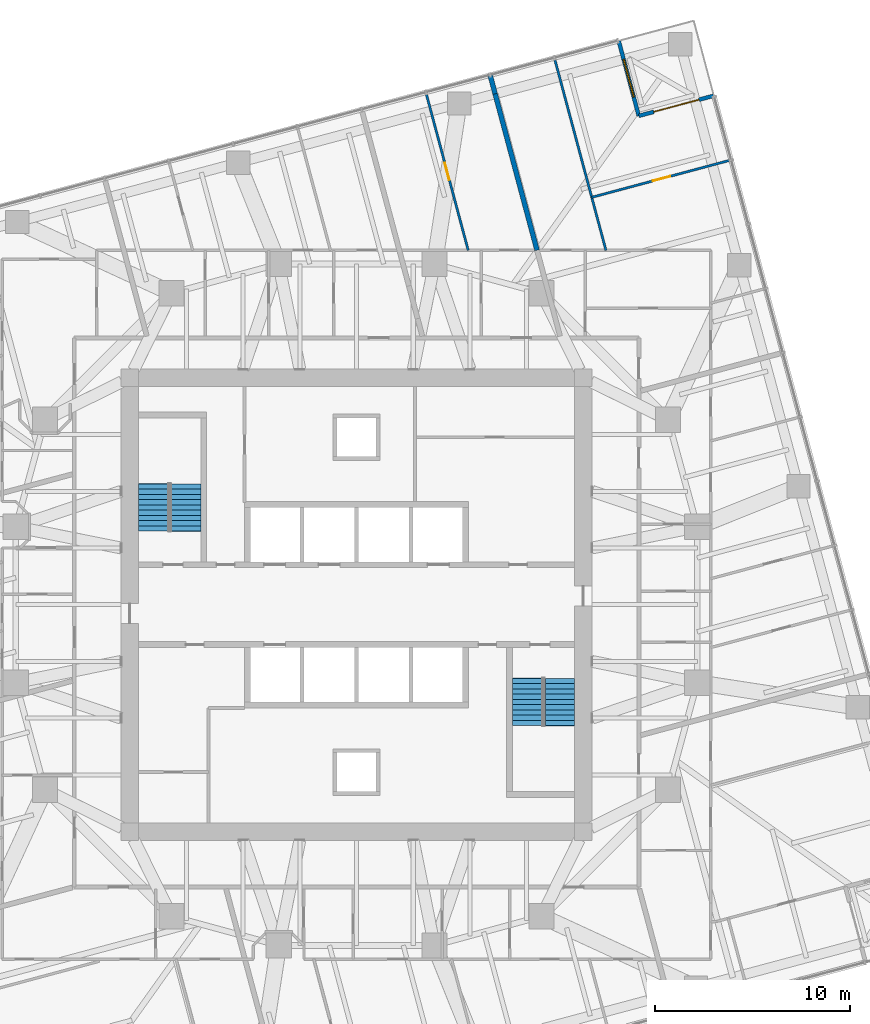
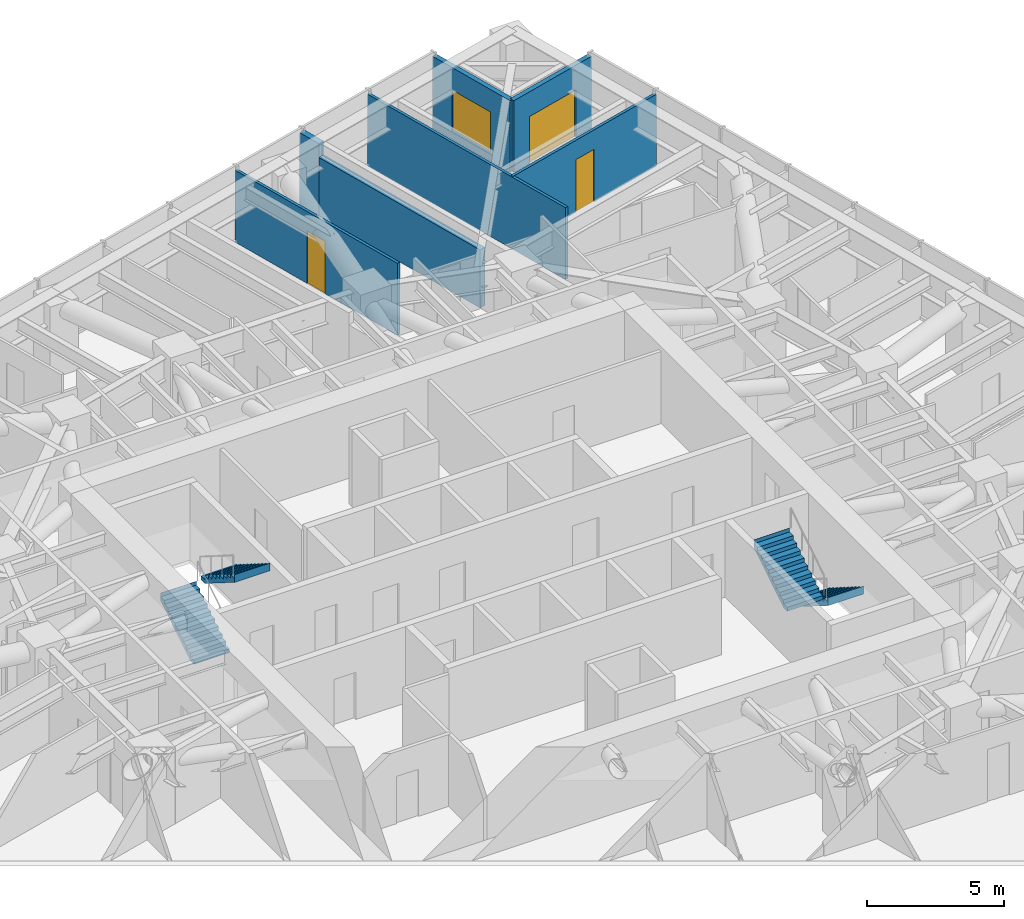
# One storey, part 16 of 18: 7 walls, 4 stair flights, 3 doors, 1 window, 4 openings, 2 elements without a shape of their own.
"""IFC4 building model written with IfcOpenShell, lengths in metres."""

from ifc_helpers import new_model, si_unit, direction, frame, frame_2d, origin, place, context, subcontext, project, spatial, polyline, rectangle, outline, extrude, material, layer, layer_set, type_object, element, fill, aggregate, save


model = new_model("IFC4")

# Units and contexts
model_context = context("Model", 3, precision=1e-05, world=origin(), true_north=direction((0.0, 1.0)))
body_context = subcontext(model_context, "Body", "Model", "MODEL_VIEW")
ifc_project = project(units=[si_unit("LENGTHUNIT", "METRE"), si_unit("AREAUNIT", "SQUARE_METRE"), si_unit("VOLUMEUNIT", "CUBIC_METRE"), si_unit("PLANEANGLEUNIT", "RADIAN"), si_unit("MASSUNIT", "GRAM", prefix="KILO")], contexts=[model_context])

# Site, building, storey
site_placement = place(None, origin())
site = spatial("IfcSite", under=ifc_project, at=site_placement, CompositionType="ELEMENT")
building_placement = place(site_placement, origin())
building = spatial("IfcBuilding", under=site, at=building_placement, Name="Torsade Residences", CompositionType="ELEMENT")
storey_placement = place(building_placement, frame((0.0, 0.0, 135.39990234375)))
storey = spatial("IfcBuildingStorey", under=building, at=storey_placement, Name="L37", CompositionType="ELEMENT", Elevation=135.39990234375)

# Wall, opening, door
ifc_material_1 = material(Name="Plasterboard on steel stud", Category="steel")
ifc_layer_1 = layer(ifc_material_1, 0.1201171875)
ifc_layer_set_1 = layer_set([ifc_layer_1], Name="Plasterboard on steel stud")
wall_type_1 = type_object("IfcWallType", Name="PARTITION 120", PredefinedType="PARTITIONING", material=ifc_layer_set_1)
wall_1_placement = place(storey_placement, frame((59.205078125, 52.83203125, 0.0), z_axis=(0.0, 0.0, 1.0), x_axis=(-0.965926630377, -0.258816044185, 0.0)))
wall_1 = element("IfcWall", 1, at=wall_1_placement, inside=storey, type_object=wall_type_1, Name="Partition L37", PredefinedType="PARTITIONING", context=body_context, shape_type="SweptSolid", body=[
    extrude(rectangle(XDim=7.376708984375, YDim=0.1201171875, at=frame_2d((3.6884765625, 0.0))), origin(), (0.0, 0.0, 1.0), 3.2001953125),
])
opening_1_placement = place(wall_1_placement, frame((3.208251953125, 0.0, 0.0)))
opening_1 = element("IfcOpeningElement", 2, at=opening_1_placement, cuts=wall_1, Name="Opening D02", PredefinedType="OPENING", context=body_context, shape_type="SweptSolid", body=[
    extrude(rectangle(XDim=0.919921875, YDim=2.340087890625, at=frame_2d((0.4599609375, 1.169921875))), frame((0.0, 0.070068359375, 0.0), z_axis=(0.0, -1.0, 0.0), x_axis=(1.0, 0.0, 0.0)), (0.0, 0.0, 1.0), 0.14013671875),
])
ifc_material_2 = material(Name="Hollow-core timber door", Category="wood")
door_type_1 = type_object("IfcDoorType", Name="INTERNAL DOOR 920x2340", OperationType="NOTDEFINED", PredefinedType="DOOR", material=ifc_material_2)
door_1_placement = place(opening_1_placement, origin())
door_1 = element("IfcDoor", 3, at=door_1_placement, inside=storey, type_object=door_type_1, Name="Door Bedroom 1 to Living room", OperationType="SINGLE_SWING_RIGHT", OverallHeight=2.340087890625, OverallWidth=0.919921875, PredefinedType="DOOR", context=body_context, shape_type="SweptSolid", body=[
    extrude(rectangle(XDim=0.919921875, YDim=2.340087890625, at=frame_2d((0.4599609375, 1.169921875))), frame((0.0, 0.02490234375, 0.0), z_axis=(0.0, -1.0, 0.0), x_axis=(1.0, 0.0, 0.0)), (0.0, 0.0, 1.0), 0.050048828125),
])
fill(opening_1, door_1)

# Wall
wall_2_placement = place(storey_placement, frame((52.809326171875, 48.199951171875, 0.0), z_axis=(0.0, 0.0, 1.0), x_axis=(-0.258829444594, 0.965923039694, 0.0)))
element("IfcWall", 4, at=wall_2_placement, inside=storey, type_object=wall_type_1, Name="Partition L37", PredefinedType="PARTITIONING", context=body_context, shape_type="SweptSolid", body=[
    extrude(rectangle(XDim=10.195556640625, YDim=0.1201171875, at=frame_2d((5.09765625, 0.0))), origin(), (0.0, 0.0, 1.0), 3.2001953125),
])

# Wall, opening, door
wall_3_placement = place(storey_placement, frame((45.73486328125, 48.199951171875, 0.0), z_axis=(0.0, 0.0, 1.0), x_axis=(-0.258805140981, 0.96592955178, 0.0)))
wall_3 = element("IfcWall", 5, at=wall_3_placement, inside=storey, type_object=wall_type_1, Name="Partition L37", PredefinedType="PARTITIONING", context=body_context, shape_type="SweptSolid", body=[
    extrude(rectangle(XDim=8.364501953125, YDim=0.1201171875, at=frame_2d((4.18212890625, 0.0))), origin(), (0.0, 0.0, 1.0), 3.2001953125),
])
opening_2_placement = place(wall_3_placement, frame((3.7421875, 0.0, 0.0)))
opening_2 = element("IfcOpeningElement", 6, at=opening_2_placement, cuts=wall_3, Name="Opening D02", PredefinedType="OPENING", context=body_context, shape_type="SweptSolid", body=[
    extrude(rectangle(XDim=0.919921875, YDim=2.340087890625, at=frame_2d((0.4599609375, 1.169921875))), frame((0.0, 0.070068359375, 0.0), z_axis=(0.0, -1.0, 0.0), x_axis=(1.0, 0.0, 0.0)), (0.0, 0.0, 1.0), 0.14013671875),
])
door_2_placement = place(opening_2_placement, origin())
door_2 = element("IfcDoor", 7, at=door_2_placement, inside=storey, type_object=door_type_1, Name="Door Living room to Bedroom 1", OperationType="SINGLE_SWING_LEFT", OverallHeight=2.340087890625, OverallWidth=0.919921875, PredefinedType="DOOR", context=body_context, shape_type="SweptSolid", body=[
    extrude(rectangle(XDim=0.919921875, YDim=2.340087890625, at=frame_2d((0.4599609375, 1.169921875))), frame((0.0, 0.02490234375, 0.0), z_axis=(0.0, -1.0, 0.0), x_axis=(1.0, 0.0, 0.0)), (0.0, 0.0, 1.0), 0.050048828125),
])
fill(opening_2, door_2)

# Walls
ifc_material_3 = material(Name="Masonry-lined stud party wall", Category="masonry")
ifc_layer_2 = layer(ifc_material_3, 0.25)
ifc_layer_set_2 = layer_set([ifc_layer_2], Name="Masonry-lined stud party wall")
wall_type_2 = type_object("IfcWallType", Name="PARTY WALL 250", PredefinedType="PARTITIONING", material=ifc_layer_set_2)
wall_4_placement = place(storey_placement, frame((46.85986328125, 57.202392578125, 0.0), z_axis=(0.0, 0.0, 1.0), x_axis=(0.258817449225, -0.965926253902, 0.0)))
element("IfcWall", 8, at=wall_4_placement, inside=storey, type_object=wall_type_2, Name="Party wall L37", PredefinedType="PARTITIONING", context=body_context, shape_type="SweptSolid", body=[
    extrude(rectangle(XDim=1.0, YDim=0.25, at=frame_2d((0.5, 0.0))), origin(), (0.0, 0.0, 1.0), 3.2001953125),
])
wall_5_placement = place(storey_placement, frame((47.11865234375, 56.236572265625, 0.0), z_axis=(0.0, 0.0, 1.0), x_axis=(0.258819249667, -0.965925771476, 0.0)))
element("IfcWall", 9, at=wall_5_placement, inside=storey, type_object=wall_type_2, Name="Party wall L37", PredefinedType="PARTITIONING", context=body_context, shape_type="SweptSolid", body=[
    extrude(rectangle(XDim=8.315185546875, YDim=0.25, at=frame_2d((4.15771484375, 0.0))), origin(), (0.0, 0.0, 1.0), 2.588134765625),
])

# Wall, opening, door
ifc_material_4 = material(Name="Stone-faced precast concrete 40 MPa panel", Category="masonry")
ifc_layer_3 = layer(ifc_material_4, 0.199951171875)
ifc_layer_set_3 = layer_set([ifc_layer_3], Name="Stone-faced precast concrete 40 MPa panel")
wall_type_3 = type_object("IfcWallType", Name="TERRACE WALL 200", PredefinedType="SOLIDWALL", material=ifc_layer_set_3)
wall_6_placement = place(storey_placement, frame((58.359375, 56.142578125, 0.0), z_axis=(0.0, 0.0, 1.0), x_axis=(-0.965919172068, -0.258843877716, 0.0)))
wall_6 = element("IfcWall", 10, at=wall_6_placement, inside=storey, type_object=wall_type_3, Name="Terrace wall L37 5", PredefinedType="SOLIDWALL", context=body_context, shape_type="SweptSolid", body=[
    extrude(rectangle(XDim=4.0, YDim=0.199951171875, at=frame_2d((2.0, 0.0))), origin(), (0.0, 0.0, 1.0), 3.2001953125),
])
opening_3_placement = place(wall_6_placement, frame((0.800048828125, 0.0, 0.0)))
opening_3 = element("IfcOpeningElement", 11, at=opening_3_placement, cuts=wall_6, Name="Opening D10A", PredefinedType="OPENING", context=body_context, shape_type="SweptSolid", body=[
    extrude(rectangle(XDim=2.39990234375, YDim=2.10009765625, at=frame_2d((1.199951171875, 1.050048828125))), frame((0.0, 0.10986328125, 0.0), z_axis=(0.0, -1.0, 0.0), x_axis=(1.0, 0.0, 0.0)), (0.0, 0.0, 1.0), 0.219970703125),
])
ifc_material_5 = material(Name="Aluminium-framed glass door", Category="aluminium")
door_type_2 = type_object("IfcDoorType", Name="TERRACE SLIDING DOOR 2400x2100", OperationType="SLIDING_TO_LEFT", PredefinedType="DOOR", material=ifc_material_5)
door_3_placement = place(opening_3_placement, origin())
door_3 = element("IfcDoor", 12, at=door_3_placement, inside=storey, type_object=door_type_2, Name="Terrace door L37 5", OperationType="SLIDING_TO_LEFT", OverallHeight=2.10009765625, OverallWidth=2.39990234375, PredefinedType="DOOR", context=body_context, shape_type="SweptSolid", body=[
    extrude(rectangle(XDim=2.39990234375, YDim=2.10009765625, at=frame_2d((1.199951171875, 1.050048828125))), frame((0.0, 0.02490234375, 0.0), z_axis=(0.0, -1.0, 0.0), x_axis=(1.0, 0.0, 0.0)), (0.0, 0.0, 1.0), 0.050048828125),
])
fill(opening_3, door_3)

# Wall, opening, window
wall_7_placement = place(storey_placement, frame((54.49560546875, 55.107177734375, 0.0), z_axis=(0.0, 0.0, 1.0), x_axis=(-0.258786931944, 0.965934430412, 0.0)))
wall_7 = element("IfcWall", 13, at=wall_7_placement, inside=storey, type_object=wall_type_3, Name="Terrace wall L37 6", PredefinedType="SOLIDWALL", context=body_context, shape_type="SweptSolid", body=[
    extrude(rectangle(XDim=4.0, YDim=0.199951171875, at=frame_2d((2.0, 0.0))), origin(), (0.0, 0.0, 1.0), 3.2001953125),
])
opening_4_placement = place(wall_7_placement, frame((1.0, 0.0, 0.39990234375)))
opening_4 = element("IfcOpeningElement", 14, at=opening_4_placement, cuts=wall_7, Name="Opening W1B", PredefinedType="OPENING", context=body_context, shape_type="SweptSolid", body=[
    extrude(rectangle(XDim=2.0, YDim=1.800048828125, at=frame_2d((1.0, 0.89990234375))), frame((0.0, 0.10986328125, 0.0), z_axis=(0.0, -1.0, 0.0), x_axis=(1.0, 0.0, 0.0)), (0.0, 0.0, 1.0), 0.219970703125),
])
ifc_material_6 = material(Name="Aluminium-framed glass window", Category="aluminium")
window_type = type_object("IfcWindowType", Name="TERRACE WINDOW 2000x1800", PartitioningType="SINGLE_PANEL", PredefinedType="WINDOW", material=ifc_material_6)
window_placement = place(opening_4_placement, origin())
window = element("IfcWindow", 15, at=window_placement, inside=storey, type_object=window_type, Name="Terrace window L37 6", OverallHeight=1.800048828125, OverallWidth=2.0, PartitioningType="SINGLE_PANEL", PredefinedType="WINDOW", context=body_context, shape_type="SweptSolid", body=[
    extrude(rectangle(XDim=2.0, YDim=1.800048828125, at=frame_2d((1.0, 0.89990234375))), frame((0.0, 0.030029296875, 0.0), z_axis=(0.0, -1.0, 0.0), x_axis=(1.0, 0.0, 0.0)), (0.0, 0.0, 1.0), 0.06005859375),
])
fill(opening_4, window)

# Stair, stair flights
ifc_material_7 = material(Name="Precast concrete 40 MPa", Category="concrete")
stair_type = type_object("IfcStairType", Name="HALF-TURN FIRE STAIR 1500x3400", PredefinedType="HALF_TURN_STAIR", material=ifc_material_7)
stair_1_placement = place(storey_placement, origin())
stair_1 = element("IfcStair", 16, at=stair_1_placement, inside=storey, type_object=stair_type, Name="Stair ST1 L37", PredefinedType="HALF_TURN_STAIR")
ifc_material_8 = material(Name="Precast concrete 40 MPa", Category="concrete")
stair_flight_type = type_object("IfcStairFlightType", Name="PRECAST STAIR FLIGHT 1500x1700", PredefinedType="STRAIGHT", material=ifc_material_8)
stair_flight_1_placement = place(storey_placement, frame((29.550048828125, 33.780029296875, 0.0), z_axis=(0.0, 0.0, 1.0), x_axis=(0.0, 1.0, 0.0)))
stair_flight_1 = element("IfcStairFlight", 17, at=stair_flight_1_placement, type_object=stair_flight_type, Name="ST1 flight 1", NumberOfRisers=10, NumberOfTreads=9, PredefinedType="STRAIGHT", RiserHeight=0.17, TreadLength=0.27, context=body_context, shape_type="SweptSolid", body=[
    extrude(outline(polyline([(0.0, 0.0), (0.0, 0.169921875), (0.27001953125, 0.169921875), (0.27001953125, 0.340087890625), (0.5400390625, 0.340087890625), (0.5400390625, 0.510009765625), (0.81005859375, 0.510009765625), (0.81005859375, 0.679931640625), (1.080078125, 0.679931640625), (1.080078125, 0.85009765625), (1.35009765625, 0.85009765625), (1.35009765625, 1.02001953125), (1.6201171875, 1.02001953125), (1.6201171875, 1.18994140625), (1.889892578125, 1.18994140625), (1.889892578125, 1.360107421875), (2.159912109375, 1.360107421875), (2.159912109375, 1.530029296875), (2.429931640625, 1.530029296875), (2.429931640625, 1.699951171875), (2.43994140625, 1.699951171875), (2.43994140625, 1.352783203125), (2.429931640625, 1.352783203125), (0.28125, 0.0), (0.0, 0.0)])), frame((0.0, 0.75, 0.0), z_axis=(0.0, -1.0, 0.0), x_axis=(1.0, 0.0, 0.0)), (0.0, 0.0, 1.0), 1.5),
])
stair_flight_2_placement = place(storey_placement, frame((31.25, 36.2099609375, 1.7001953125), z_axis=(0.0, 0.0, 1.0), x_axis=(0.0, -1.0, 0.0)))
stair_flight_2 = element("IfcStairFlight", 18, at=stair_flight_2_placement, type_object=stair_flight_type, Name="ST1 flight 2", NumberOfRisers=10, NumberOfTreads=9, PredefinedType="STRAIGHT", RiserHeight=0.17, TreadLength=0.27, context=body_context, shape_type="SweptSolid", body=[
    extrude(outline(polyline([(0.0, 0.0), (0.0, 0.169921875), (0.27001953125, 0.169921875), (0.27001953125, 0.340087890625), (0.5400390625, 0.340087890625), (0.5400390625, 0.510009765625), (0.81005859375, 0.510009765625), (0.81005859375, 0.679931640625), (1.080078125, 0.679931640625), (1.080078125, 0.85009765625), (1.35009765625, 0.85009765625), (1.35009765625, 1.02001953125), (1.6201171875, 1.02001953125), (1.6201171875, 1.18994140625), (1.889892578125, 1.18994140625), (1.889892578125, 1.360107421875), (2.159912109375, 1.360107421875), (2.159912109375, 1.530029296875), (2.429931640625, 1.530029296875), (2.429931640625, 1.699951171875), (2.43994140625, 1.699951171875), (2.43994140625, 1.352783203125), (2.429931640625, 1.352783203125), (0.28125, 0.0), (0.0, 0.0)])), frame((0.0, 0.75, 0.0), z_axis=(0.0, -1.0, 0.0), x_axis=(1.0, 0.0, 0.0)), (0.0, 0.0, 1.0), 1.5),
])
aggregate(stair_1, [stair_flight_1, stair_flight_2])

stair_2_placement = place(storey_placement, origin())
stair_2 = element("IfcStair", 19, at=stair_2_placement, inside=storey, type_object=stair_type, Name="Stair ST2 L37", PredefinedType="HALF_TURN_STAIR")
stair_flight_3_placement = place(storey_placement, frame((50.449951171875, 26.219970703125, 0.0), z_axis=(0.0, 0.0, 1.0), x_axis=(0.0, -1.0, 0.0)))
stair_flight_3 = element("IfcStairFlight", 20, at=stair_flight_3_placement, type_object=stair_flight_type, Name="ST2 flight 1", NumberOfRisers=10, NumberOfTreads=9, PredefinedType="STRAIGHT", RiserHeight=0.17, TreadLength=0.27, context=body_context, shape_type="SweptSolid", body=[
    extrude(outline(polyline([(0.0, 0.0), (0.0, 0.169921875), (0.27001953125, 0.169921875), (0.27001953125, 0.340087890625), (0.5400390625, 0.340087890625), (0.5400390625, 0.510009765625), (0.81005859375, 0.510009765625), (0.81005859375, 0.679931640625), (1.080078125, 0.679931640625), (1.080078125, 0.85009765625), (1.35009765625, 0.85009765625), (1.35009765625, 1.02001953125), (1.6201171875, 1.02001953125), (1.6201171875, 1.18994140625), (1.889892578125, 1.18994140625), (1.889892578125, 1.360107421875), (2.159912109375, 1.360107421875), (2.159912109375, 1.530029296875), (2.429931640625, 1.530029296875), (2.429931640625, 1.699951171875), (2.43994140625, 1.699951171875), (2.43994140625, 1.352783203125), (2.429931640625, 1.352783203125), (0.28125, 0.0), (0.0, 0.0)])), frame((0.0, 0.75, 0.0), z_axis=(0.0, -1.0, 0.0), x_axis=(1.0, 0.0, 0.0)), (0.0, 0.0, 1.0), 1.5),
])
stair_flight_4_placement = place(storey_placement, frame((48.75, 23.7900390625, 1.7001953125), z_axis=(0.0, 0.0, 1.0), x_axis=(0.0, 1.0, 0.0)))
stair_flight_4 = element("IfcStairFlight", 21, at=stair_flight_4_placement, type_object=stair_flight_type, Name="ST2 flight 2", NumberOfRisers=10, NumberOfTreads=9, PredefinedType="STRAIGHT", RiserHeight=0.17, TreadLength=0.27, context=body_context, shape_type="SweptSolid", body=[
    extrude(outline(polyline([(0.0, 0.0), (0.0, 0.169921875), (0.27001953125, 0.169921875), (0.27001953125, 0.340087890625), (0.5400390625, 0.340087890625), (0.5400390625, 0.510009765625), (0.81005859375, 0.510009765625), (0.81005859375, 0.679931640625), (1.080078125, 0.679931640625), (1.080078125, 0.85009765625), (1.35009765625, 0.85009765625), (1.35009765625, 1.02001953125), (1.6201171875, 1.02001953125), (1.6201171875, 1.18994140625), (1.889892578125, 1.18994140625), (1.889892578125, 1.360107421875), (2.159912109375, 1.360107421875), (2.159912109375, 1.530029296875), (2.429931640625, 1.530029296875), (2.429931640625, 1.699951171875), (2.43994140625, 1.699951171875), (2.43994140625, 1.352783203125), (2.429931640625, 1.352783203125), (0.28125, 0.0), (0.0, 0.0)])), frame((0.0, 0.75, 0.0), z_axis=(0.0, -1.0, 0.0), x_axis=(1.0, 0.0, 0.0)), (0.0, 0.0, 1.0), 1.5),
])
aggregate(stair_2, [stair_flight_3, stair_flight_4])

save(model, "model.ifc")
